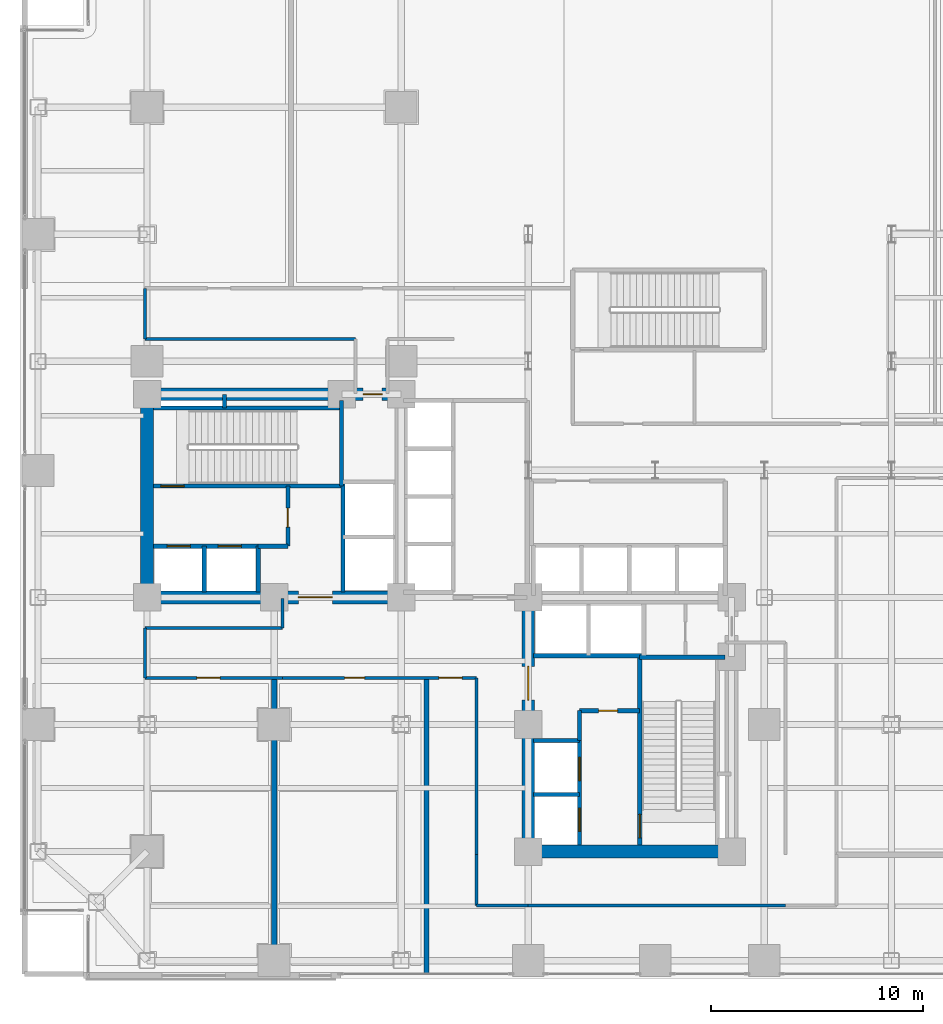
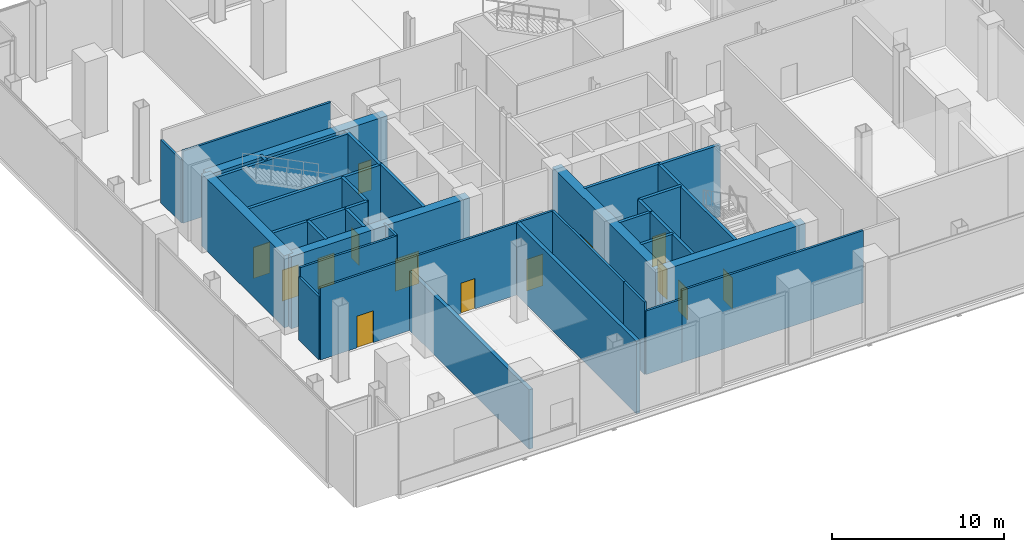
# One storey, part 21 of 27: 36 walls, 14 doors, 14 openings.
"""IFC4 building model written with IfcOpenShell, lengths in metres."""

from ifc_helpers import new_model, si_unit, direction, frame, frame_2d, origin, place, context, subcontext, project, spatial, rectangle, extrude, material, layer, layer_set, type_object, element, fill, save


model = new_model("IFC4")

# Units and contexts
model_context = context("Model", 3, precision=1e-05, world=origin(), true_north=direction((0.0, 1.0)))
body_context = subcontext(model_context, "Body", "Model", "MODEL_VIEW")
ifc_project = project(units=[si_unit("LENGTHUNIT", "METRE"), si_unit("AREAUNIT", "SQUARE_METRE"), si_unit("VOLUMEUNIT", "CUBIC_METRE"), si_unit("PLANEANGLEUNIT", "RADIAN"), si_unit("MASSUNIT", "GRAM", prefix="KILO"), si_unit("THERMODYNAMICTEMPERATUREUNIT", "KELVIN"), si_unit("POWERUNIT", "WATT")], contexts=[model_context])

# Site, building, storey
site_placement = place(None, origin())
site = spatial("IfcSite", under=ifc_project, at=site_placement, CompositionType="ELEMENT")
building_placement = place(site_placement, origin())
building = spatial("IfcBuilding", under=site, at=building_placement, Name="Svarakhadi Broadcast Tower", CompositionType="ELEMENT")
storey_placement = place(building_placement, frame((0.0, 0.0, 5.699951171875)))
storey = spatial("IfcBuildingStorey", under=building, at=storey_placement, Name="L01", CompositionType="ELEMENT", Elevation=5.699951171875)

# Walls
ifc_material_1 = material(Name="Double-Stud Acoustic Studio Partition STC-62", Category="gypsum")
ifc_layer_1 = layer(ifc_material_1, 0.25)
ifc_layer_set_1 = layer_set([ifc_layer_1], Name="Double-Stud Acoustic Studio Partition STC-62")
wall_type_1 = type_object("IfcWallType", Name="Wall_Acoust_250", PredefinedType="PARTITIONING", material=ifc_layer_set_1)
wall_1_placement = place(storey_placement, frame((12.0, 0.219970703125, 0.0), z_axis=(0.0, 0.0, 1.0), x_axis=(0.0, 1.0, 0.0)))
element("IfcWall", 1, at=wall_1_placement, inside=storey, type_object=wall_type_1, Name="L01 L01 Master Control Broadcast Room Wall", PredefinedType="PARTITIONING", context=body_context, shape_type="SweptSolid", body=[
    extrude(rectangle(XDim=13.97998046875, YDim=0.25, at=frame_2d((6.989990234375, 0.0))), origin(), (0.0, 0.0, 1.0), 4.217041015625),
])
wall_2_placement = place(storey_placement, frame((19.199951171875, 0.219970703125, 0.0), z_axis=(0.0, 0.0, 1.0), x_axis=(0.0, 1.0, 0.0)))
element("IfcWall", 2, at=wall_2_placement, inside=storey, type_object=wall_type_1, Name="L01 L01 Audio Post-Production Mixing Room Wall", PredefinedType="PARTITIONING", context=body_context, shape_type="SweptSolid", body=[
    extrude(rectangle(XDim=13.97998046875, YDim=0.25, at=frame_2d((6.989990234375, 0.0))), origin(), (0.0, 0.0, 1.0), 5.125),
])
ifc_material_2 = material(Name="Concrete C40/50 (IS 456 M50)", Category="concrete")
ifc_layer_2 = layer(ifc_material_2, 0.199951171875)
ifc_layer_set_2 = layer_set([ifc_layer_2], Name="Concrete C40/50 (IS 456 M50)")
wall_type_2 = type_object("IfcWallType", Name="Wall_Fire_200", PredefinedType="SOLIDWALL", material=ifc_layer_set_2)
wall_3_placement = place(storey_placement, frame((9.659912109375, 26.93994140625, 0.0), z_axis=(0.0, 0.0, 1.0), x_axis=(0.0, 1.0, 0.0)))
element("IfcWall", 3, at=wall_3_placement, inside=storey, type_object=wall_type_2, Name="L01 Wet Riser Shaft East Wall", PredefinedType="SOLIDWALL", context=body_context, shape_type="SweptSolid", body=[
    extrude(rectangle(XDim=0.64013671875, YDim=0.199951171875, at=frame_2d((0.320068359375, 0.0))), origin(), (0.0, 0.0, 1.0), 5.125),
])
ifc_material_3 = material(Name="Autoclaved Aerated Concrete Blockwork 150 mm", Category="masonry")
ifc_layer_3 = layer(ifc_material_3, 0.14990234375)
ifc_layer_set_3 = layer_set([ifc_layer_3], Name="Autoclaved Aerated Concrete Blockwork 150 mm")
wall_type_3 = type_object("IfcWallType", Name="Wall_Part_150", PredefinedType="PARTITIONING", material=ifc_layer_set_3)
wall_4_placement = place(storey_placement, frame((21.550048828125, 5.85009765625, 0.0), z_axis=(0.0, 0.0, 1.0), x_axis=(0.0, 1.0, 0.0)))
element("IfcWall", 4, at=wall_4_placement, inside=storey, type_object=wall_type_3, Name="L01 Podium Gallery Wall", PredefinedType="PARTITIONING", context=body_context, shape_type="SweptSolid", body=[
    extrude(rectangle(XDim=8.349853515625, YDim=0.14990234375, at=frame_2d((4.1748046875, 0.0))), origin(), (0.0, 0.0, 1.0), 5.125),
])

# Wall, openings, doors
wall_5_placement = place(storey_placement, frame((21.550048828125, 14.199951171875, 0.0), z_axis=(0.0, 0.0, 1.0), x_axis=(-1.0, 0.0, 0.0)))
wall_5 = element("IfcWall", 5, at=wall_5_placement, inside=storey, type_object=wall_type_3, Name="L01 Podium Gallery Wall", PredefinedType="PARTITIONING", context=body_context, shape_type="SweptSolid", body=[
    extrude(rectangle(XDim=9.150146484375, YDim=0.14990234375, at=frame_2d((4.5751953125, 0.0))), origin(), (0.0, 0.0, 1.0), 5.125),
])
opening_1_placement = place(wall_5_placement, frame((5.27490234375, 0.0, 0.0)))
opening_1 = element("IfcOpeningElement", 6, at=opening_1_placement, cuts=wall_5, Name="Opening D-06", PredefinedType="OPENING", context=body_context, shape_type="SweptSolid", body=[
    extrude(rectangle(XDim=0.949951171875, YDim=2.14990234375, at=frame_2d((0.47509765625, 1.074951171875))), frame((0.0, 0.0849609375, 0.0), z_axis=(0.0, -1.0, 0.0), x_axis=(1.0, 0.0, 0.0)), (0.0, 0.0, 1.0), 0.169921875),
])
opening_2_placement = place(wall_5_placement, frame((0.675048828125, 0.0, 0.0)))
opening_2 = element("IfcOpeningElement", 7, at=opening_2_placement, cuts=wall_5, Name="Opening D-11", PredefinedType="OPENING", context=body_context, shape_type="SweptSolid", body=[
    extrude(rectangle(XDim=1.10009765625, YDim=2.25, at=frame_2d((0.550048828125, 1.125))), frame((0.0, 0.0849609375, 0.0), z_axis=(0.0, -1.0, 0.0), x_axis=(1.0, 0.0, 0.0)), (0.0, 0.0, 1.0), 0.169921875),
])
ifc_material_4 = material(Name="Solid-Core Teak Veneer Acoustic Timber Leaf", Category="wood")
door_type_1 = type_object("IfcDoorType", Name="Door_Acoust_D11", OperationType="SINGLE_SWING_RIGHT", PredefinedType="DOOR", material=ifc_material_4)
door_1_placement = place(opening_2_placement, origin())
door_1 = element("IfcDoor", 8, at=door_1_placement, inside=storey, type_object=door_type_1, Name="L01 L01 Crew Green Room and Pantry Door", OperationType="SINGLE_SWING_RIGHT", OverallHeight=2.25, OverallWidth=1.10009765625, PredefinedType="DOOR", context=body_context, shape_type="SweptSolid", body=[
    extrude(rectangle(XDim=1.10009765625, YDim=2.25, at=frame_2d((0.550048828125, 1.125))), frame((0.0, 0.02490234375, 0.0), z_axis=(0.0, -1.0, 0.0), x_axis=(1.0, 0.0, 0.0)), (0.0, 0.0, 1.0), 0.050048828125),
])
fill(opening_2, door_1)
door_type_2 = type_object("IfcDoorType", Name="Door_Office_D06", OperationType="SINGLE_SWING_LEFT", PredefinedType="DOOR", material=ifc_material_4)
door_2_placement = place(opening_1_placement, origin())
door_2 = element("IfcDoor", 9, at=door_2_placement, inside=storey, type_object=door_type_2, Name="L01 L01 Audio Post-Production Mixing Room Door", OperationType="SINGLE_SWING_LEFT", OverallHeight=2.14990234375, OverallWidth=0.949951171875, PredefinedType="DOOR", context=body_context, shape_type="SweptSolid", body=[
    extrude(rectangle(XDim=0.949951171875, YDim=2.14990234375, at=frame_2d((0.47509765625, 1.074951171875))), frame((0.0, 0.02490234375, 0.0), z_axis=(0.0, -1.0, 0.0), x_axis=(1.0, 0.0, 0.0)), (0.0, 0.0, 1.0), 0.050048828125),
])
fill(opening_1, door_2)

# Wall, opening, door
wall_6_placement = place(storey_placement, frame((12.39990234375, 14.199951171875, 0.0), z_axis=(0.0, 0.0, 1.0), x_axis=(-1.0, 0.0, 0.0)))
wall_6 = element("IfcWall", 10, at=wall_6_placement, inside=storey, type_object=wall_type_3, Name="L01 Podium Gallery Wall", PredefinedType="PARTITIONING", context=body_context, shape_type="SweptSolid", body=[
    extrude(rectangle(XDim=6.5, YDim=0.14990234375, at=frame_2d((3.25, 0.0))), origin(), (0.0, 0.0, 1.0), 5.125),
])
opening_3_placement = place(wall_6_placement, frame((2.949951171875, 0.0, 0.0)))
opening_3 = element("IfcOpeningElement", 11, at=opening_3_placement, cuts=wall_6, Name="Opening D-10", PredefinedType="OPENING", context=body_context, shape_type="SweptSolid", body=[
    extrude(rectangle(XDim=1.10009765625, YDim=2.25, at=frame_2d((0.550048828125, 1.125))), frame((0.0, 0.0849609375, 0.0), z_axis=(0.0, -1.0, 0.0), x_axis=(1.0, 0.0, 0.0)), (0.0, 0.0, 1.0), 0.169921875),
])
door_type_3 = type_object("IfcDoorType", Name="Door_Acoust_D10", OperationType="SINGLE_SWING_LEFT", PredefinedType="DOOR", material=ifc_material_4)
door_3_placement = place(opening_3_placement, origin())
door_3 = element("IfcDoor", 12, at=door_3_placement, inside=storey, type_object=door_type_3, Name="L01 L01 Master Control Broadcast Room Door", OperationType="SINGLE_SWING_LEFT", OverallHeight=2.25, OverallWidth=1.10009765625, PredefinedType="DOOR", context=body_context, shape_type="SweptSolid", body=[
    extrude(rectangle(XDim=1.10009765625, YDim=2.25, at=frame_2d((0.550048828125, 1.125))), frame((0.0, 0.02490234375, 0.0), z_axis=(0.0, -1.0, 0.0), x_axis=(1.0, 0.0, 0.0)), (0.0, 0.0, 1.0), 0.050048828125),
])
fill(opening_3, door_3)

# Walls
wall_7_placement = place(storey_placement, frame((5.89990234375, 14.199951171875, 0.0), z_axis=(0.0, 0.0, 1.0), x_axis=(0.0, 1.0, 0.0)))
element("IfcWall", 13, at=wall_7_placement, inside=storey, type_object=wall_type_3, Name="L01 Podium Gallery Wall", PredefinedType="PARTITIONING", context=body_context, shape_type="SweptSolid", body=[
    extrude(rectangle(XDim=2.35009765625, YDim=0.14990234375, at=frame_2d((1.175048828125, 0.0))), origin(), (0.0, 0.0, 1.0), 4.467041015625),
])
wall_8_placement = place(storey_placement, frame((5.89990234375, 16.550048828125, 0.0), z_axis=(0.0, 0.0, 1.0), x_axis=(1.0, 0.0, 0.0)))
element("IfcWall", 14, at=wall_8_placement, inside=storey, type_object=wall_type_3, Name="L01 Podium Gallery Wall", PredefinedType="PARTITIONING", context=body_context, shape_type="SweptSolid", body=[
    extrude(rectangle(XDim=6.5, YDim=0.14990234375, at=frame_2d((3.25, 0.0))), origin(), (0.0, 0.0, 1.0), 5.125),
])
wall_9_placement = place(storey_placement, frame((12.39990234375, 16.550048828125, 0.0), z_axis=(0.0, 0.0, 1.0), x_axis=(0.0, 1.0, 0.0)))
element("IfcWall", 15, at=wall_9_placement, inside=storey, type_object=wall_type_3, Name="L01 Podium Gallery Wall", PredefinedType="PARTITIONING", context=body_context, shape_type="SweptSolid", body=[
    extrude(rectangle(XDim=1.409912109375, YDim=0.14990234375, at=frame_2d((0.705078125, 0.0))), origin(), (0.0, 0.0, 1.0), 5.125),
])
wall_10_placement = place(storey_placement, frame((15.85009765625, 30.199951171875, 0.0), z_axis=(0.0, 0.0, 1.0), x_axis=(-1.0, 0.0, 0.0)))
element("IfcWall", 16, at=wall_10_placement, inside=storey, type_object=wall_type_3, Name="L01 Podium Gallery Wall", PredefinedType="PARTITIONING", context=body_context, shape_type="SweptSolid", body=[
    extrude(rectangle(XDim=9.9501953125, YDim=0.14990234375, at=frame_2d((4.97509765625, 0.0))), origin(), (0.0, 0.0, 1.0), 5.125),
])
wall_11_placement = place(storey_placement, frame((5.89990234375, 30.199951171875, 0.0), z_axis=(0.0, 0.0, 1.0), x_axis=(0.0, 1.0, 0.0)))
element("IfcWall", 17, at=wall_11_placement, inside=storey, type_object=wall_type_3, Name="L01 Podium Gallery Wall", PredefinedType="PARTITIONING", context=body_context, shape_type="SweptSolid", body=[
    extrude(rectangle(XDim=2.400146484375, YDim=0.14990234375, at=frame_2d((1.2001953125, 0.0))), origin(), (0.0, 0.0, 1.0), 4.467041015625),
])
wall_12_placement = place(storey_placement, frame((36.14990234375, 3.449951171875, 0.0), z_axis=(0.0, 0.0, 1.0), x_axis=(-1.0, 0.0, 0.0)))
element("IfcWall", 18, at=wall_12_placement, inside=storey, type_object=wall_type_3, Name="L01 Podium Gallery Wall", PredefinedType="PARTITIONING", context=body_context, shape_type="SweptSolid", body=[
    extrude(rectangle(XDim=12.169921875, YDim=0.14990234375, at=frame_2d((6.0849609375, 0.0))), origin(), (0.0, 0.0, 1.0), 5.125),
])
wall_13_placement = place(storey_placement, frame((23.97998046875, 3.449951171875, 0.0), z_axis=(0.0, 0.0, 1.0), x_axis=(-1.0, 0.0, 0.0)))
element("IfcWall", 19, at=wall_13_placement, inside=storey, type_object=wall_type_3, Name="L01 Podium Gallery Wall", PredefinedType="PARTITIONING", context=body_context, shape_type="SweptSolid", body=[
    extrude(rectangle(XDim=2.429931640625, YDim=0.14990234375, at=frame_2d((1.21484375, 0.0))), origin(), (0.0, 0.0, 1.0), 4.51708984375),
])
wall_14_placement = place(storey_placement, frame((21.550048828125, 3.449951171875, 0.0), z_axis=(0.0, 0.0, 1.0), x_axis=(0.0, 1.0, 0.0)))
element("IfcWall", 20, at=wall_14_placement, inside=storey, type_object=wall_type_3, Name="L01 Podium Gallery Wall", PredefinedType="PARTITIONING", context=body_context, shape_type="SweptSolid", body=[
    extrude(rectangle(XDim=2.400146484375, YDim=0.14990234375, at=frame_2d((1.2001953125, 0.0))), origin(), (0.0, 0.0, 1.0), 5.125),
])

# Wall, opening, door
ifc_material_5 = material(Name="Concrete C50/60 (IS 456 M60)", Category="concrete")
ifc_layer_4 = layer(ifc_material_5, 0.199951171875)
ifc_layer_set_4 = layer_set([ifc_layer_4], Name="Concrete C50/60 (IS 456 M60)")
wall_type_4 = type_object("IfcWallType", Name="Wall_Shear_200", PredefinedType="SHEAR", material=ifc_layer_set_4)
wall_15_placement = place(storey_placement, frame((6.300048828125, 23.260009765625, 0.0), z_axis=(0.0, 0.0, 1.0), x_axis=(1.0, 0.0, 0.0)))
wall_15 = element("IfcWall", 21, at=wall_15_placement, inside=storey, type_object=wall_type_4, Name="L01 Stair ST-01 South RC Shaft Wall", PredefinedType="SHEAR", context=body_context, shape_type="SweptSolid", body=[
    extrude(rectangle(XDim=8.8798828125, YDim=0.199951171875, at=frame_2d((4.43994140625, 0.0))), origin(), (0.0, 0.0, 1.0), 5.125),
])
opening_4_placement = place(wall_15_placement, frame((0.35009765625, 0.0, 0.0)))
opening_4 = element("IfcOpeningElement", 22, at=opening_4_placement, cuts=wall_15, Name="Opening D-01", PredefinedType="OPENING", context=body_context, shape_type="SweptSolid", body=[
    extrude(rectangle(XDim=1.10009765625, YDim=2.199951171875, at=frame_2d((0.550048828125, 1.10009765625))), frame((0.0, 0.10986328125, 0.0), z_axis=(0.0, -1.0, 0.0), x_axis=(1.0, 0.0, 0.0)), (0.0, 0.0, 1.0), 0.219970703125),
])
ifc_material_6 = material(Name="Galvanised Powder-Coated Fire-Rated Steel Leaf", Category="steel")
door_type_4 = type_object("IfcDoorType", Name="Door_Stair_D01", OperationType="SINGLE_SWING_LEFT", PredefinedType="DOOR", material=ifc_material_6)
door_4_placement = place(opening_4_placement, origin())
door_4 = element("IfcDoor", 23, at=door_4_placement, inside=storey, type_object=door_type_4, Name="L01 Protected Exit Stair ST-01 Fire Door", OperationType="SINGLE_SWING_LEFT", OverallHeight=2.199951171875, OverallWidth=1.10009765625, PredefinedType="DOOR", context=body_context, shape_type="SweptSolid", body=[
    extrude(rectangle(XDim=1.10009765625, YDim=2.199951171875, at=frame_2d((0.550048828125, 1.10009765625))), frame((0.0, 0.02490234375, 0.0), z_axis=(0.0, -1.0, 0.0), x_axis=(1.0, 0.0, 0.0)), (0.0, 0.0, 1.0), 0.050048828125),
])
fill(opening_4, door_4)

# Walls
wall_16_placement = place(storey_placement, frame((6.300048828125, 26.93994140625, 0.0), z_axis=(0.0, 0.0, 1.0), x_axis=(1.0, 0.0, 0.0)))
element("IfcWall", 24, at=wall_16_placement, inside=storey, type_object=wall_type_4, Name="L01 Stair ST-01 North RC Shaft Wall", PredefinedType="SHEAR", context=body_context, shape_type="SweptSolid", body=[
    extrude(rectangle(XDim=8.8798828125, YDim=0.199951171875, at=frame_2d((4.43994140625, 0.0))), origin(), (0.0, 0.0, 1.0), 5.125),
])
wall_17_placement = place(storey_placement, frame((15.179931640625, 23.260009765625, 0.0), z_axis=(0.0, 0.0, 1.0), x_axis=(0.0, 1.0, 0.0)))
element("IfcWall", 25, at=wall_17_placement, inside=storey, type_object=wall_type_4, Name="L01 Stair ST-01 East RC Shaft Wall", PredefinedType="SHEAR", context=body_context, shape_type="SweptSolid", body=[
    extrude(rectangle(XDim=4.0400390625, YDim=0.199951171875, at=frame_2d((2.02001953125, 0.0))), origin(), (0.0, 0.0, 1.0), 5.125),
])

# Wall, opening, door
wall_18_placement = place(storey_placement, frame((29.260009765625, 6.300048828125, 0.0), z_axis=(0.0, 0.0, 1.0), x_axis=(0.0, 1.0, 0.0)))
wall_18 = element("IfcWall", 26, at=wall_18_placement, inside=storey, type_object=wall_type_4, Name="L01 Stair ST-02 West RC Shaft Wall", PredefinedType="SHEAR", context=body_context, shape_type="SweptSolid", body=[
    extrude(rectangle(XDim=8.8798828125, YDim=0.199951171875, at=frame_2d((4.43994140625, 0.0))), origin(), (0.0, 0.0, 1.0), 5.125),
])
opening_5_placement = place(wall_18_placement, frame((0.35009765625, 0.0, 0.0)))
opening_5 = element("IfcOpeningElement", 27, at=opening_5_placement, cuts=wall_18, Name="Opening D-02", PredefinedType="OPENING", context=body_context, shape_type="SweptSolid", body=[
    extrude(rectangle(XDim=1.10009765625, YDim=2.199951171875, at=frame_2d((0.550048828125, 1.10009765625))), frame((0.0, 0.10986328125, 0.0), z_axis=(0.0, -1.0, 0.0), x_axis=(1.0, 0.0, 0.0)), (0.0, 0.0, 1.0), 0.219970703125),
])
door_type_5 = type_object("IfcDoorType", Name="Door_Stair_D02", OperationType="SINGLE_SWING_RIGHT", PredefinedType="DOOR", material=ifc_material_6)
door_5_placement = place(opening_5_placement, origin())
door_5 = element("IfcDoor", 28, at=door_5_placement, inside=storey, type_object=door_type_5, Name="L01 Protected Exit Stair ST-02 Fire Door", OperationType="SINGLE_SWING_RIGHT", OverallHeight=2.199951171875, OverallWidth=1.10009765625, PredefinedType="DOOR", context=body_context, shape_type="SweptSolid", body=[
    extrude(rectangle(XDim=1.10009765625, YDim=2.199951171875, at=frame_2d((0.550048828125, 1.10009765625))), frame((0.0, 0.02490234375, 0.0), z_axis=(0.0, -1.0, 0.0), x_axis=(1.0, 0.0, 0.0)), (0.0, 0.0, 1.0), 0.050048828125),
])
fill(opening_5, door_5)

# Wall
wall_19_placement = place(storey_placement, frame((29.260009765625, 15.179931640625, 0.0), z_axis=(0.0, 0.0, 1.0), x_axis=(1.0, 0.0, 0.0)))
element("IfcWall", 29, at=wall_19_placement, inside=storey, type_object=wall_type_4, Name="L01 Stair ST-02 North RC Shaft Wall", PredefinedType="SHEAR", context=body_context, shape_type="SweptSolid", body=[
    extrude(rectangle(XDim=4.0400390625, YDim=0.199951171875, at=frame_2d((2.02001953125, 0.0))), origin(), (0.0, 0.0, 1.0), 5.125),
])

# Wall, openings, doors
wall_20_placement = place(storey_placement, frame((6.300048828125, 20.419921875, 0.0), z_axis=(0.0, 0.0, 1.0), x_axis=(1.0, 0.0, 0.0)))
wall_20 = element("IfcWall", 30, at=wall_20_placement, inside=storey, type_object=wall_type_4, Name="L01 Firefighting Lift LF-01/02 Shaft Wall", PredefinedType="SHEAR", context=body_context, shape_type="SweptSolid", body=[
    extrude(rectangle(XDim=4.949951171875, YDim=0.199951171875, at=frame_2d((2.47509765625, 0.0))), origin(), (0.0, 0.0, 1.0), 5.125),
])
opening_6_placement = place(wall_20_placement, frame((0.64990234375, 0.0, 0.0)))
opening_6 = element("IfcOpeningElement", 31, at=opening_6_placement, cuts=wall_20, Name="Opening LD-01", PredefinedType="OPENING", context=body_context, shape_type="SweptSolid", body=[
    extrude(rectangle(XDim=1.10009765625, YDim=2.199951171875, at=frame_2d((0.550048828125, 1.10009765625))), frame((0.0, 0.10986328125, 0.0), z_axis=(0.0, -1.0, 0.0), x_axis=(1.0, 0.0, 0.0)), (0.0, 0.0, 1.0), 0.219970703125),
])
opening_7_placement = place(wall_20_placement, frame((3.050048828125, 0.0, 0.0)))
opening_7 = element("IfcOpeningElement", 32, at=opening_7_placement, cuts=wall_20, Name="Opening LD-01", PredefinedType="OPENING", context=body_context, shape_type="SweptSolid", body=[
    extrude(rectangle(XDim=1.10009765625, YDim=2.199951171875, at=frame_2d((0.550048828125, 1.10009765625))), frame((0.0, 0.10986328125, 0.0), z_axis=(0.0, -1.0, 0.0), x_axis=(1.0, 0.0, 0.0)), (0.0, 0.0, 1.0), 0.219970703125),
])
door_type_6 = type_object("IfcDoorType", Name="Door_Lift_LD01", OperationType="SLIDING_TO_LEFT", PredefinedType="DOOR", material=ifc_material_6)
door_6_placement = place(opening_6_placement, origin())
door_6 = element("IfcDoor", 33, at=door_6_placement, inside=storey, type_object=door_type_6, Name="L01 Firefighting Lift LF-01 Landing Door", OperationType="SLIDING_TO_LEFT", OverallHeight=2.199951171875, OverallWidth=1.10009765625, PredefinedType="DOOR", context=body_context, shape_type="SweptSolid", body=[
    extrude(rectangle(XDim=1.10009765625, YDim=2.199951171875, at=frame_2d((0.550048828125, 1.10009765625))), frame((0.0, 0.02490234375, 0.0), z_axis=(0.0, -1.0, 0.0), x_axis=(1.0, 0.0, 0.0)), (0.0, 0.0, 1.0), 0.050048828125),
])
fill(opening_6, door_6)
door_7_placement = place(opening_7_placement, origin())
door_7 = element("IfcDoor", 34, at=door_7_placement, inside=storey, type_object=door_type_6, Name="L01 Firefighting Lift LF-02 Landing Door", OperationType="SLIDING_TO_LEFT", OverallHeight=2.199951171875, OverallWidth=1.10009765625, PredefinedType="DOOR", context=body_context, shape_type="SweptSolid", body=[
    extrude(rectangle(XDim=1.10009765625, YDim=2.199951171875, at=frame_2d((0.550048828125, 1.10009765625))), frame((0.0, 0.02490234375, 0.0), z_axis=(0.0, -1.0, 0.0), x_axis=(1.0, 0.0, 0.0)), (0.0, 0.0, 1.0), 0.050048828125),
])
fill(opening_7, door_7)

# Walls
for number, where, z_axis, x_axis, name in (
    (35, (8.699951171875, 18.25, 0.0), (0.0, 0.0, 1.0), (0.0, 1.0, 0.0), "L01 Firefighting Lift LF-01/02 Divider Wall"),
    (36, (11.25, 18.25, 0.0), (0.0, 0.0, 1.0), (0.0, 1.0, 0.0), "L01 Firefighting Lift LF-02 East Wall"),
):
    element("IfcWall", number, at=place(storey_placement, frame(where, z_axis=z_axis, x_axis=x_axis)), inside=storey, type_object=wall_type_4, Name=name, PredefinedType="SHEAR", context=body_context, shape_type="SweptSolid", body=[
        extrude(rectangle(XDim=2.169921875, YDim=0.199951171875, at=frame_2d((1.0849609375, 0.0))), origin(), (0.0, 0.0, 1.0), 5.125),
    ])
wall_21_placement = place(storey_placement, frame((11.25, 20.419921875, 0.0), z_axis=(0.0, 0.0, 1.0), x_axis=(1.0, 0.0, 0.0)))
element("IfcWall", 37, at=wall_21_placement, inside=storey, type_object=wall_type_4, Name="L01 West Firefighting Lobby South Wall", PredefinedType="SHEAR", context=body_context, shape_type="SweptSolid", body=[
    extrude(rectangle(XDim=1.39990234375, YDim=0.199951171875, at=frame_2d((0.699951171875, 0.0))), origin(), (0.0, 0.0, 1.0), 5.125),
])

# Wall, opening, door
wall_22_placement = place(storey_placement, frame((12.64990234375, 20.419921875, 0.0), z_axis=(0.0, 0.0, 1.0), x_axis=(0.0, 1.0, 0.0)))
wall_22 = element("IfcWall", 38, at=wall_22_placement, inside=storey, type_object=wall_type_4, Name="L01 West Firefighting Lobby East Wall", PredefinedType="SHEAR", context=body_context, shape_type="SweptSolid", body=[
    extrude(rectangle(XDim=2.840087890625, YDim=0.199951171875, at=frame_2d((1.419921875, 0.0))), origin(), (0.0, 0.0, 1.0), 5.125),
])
opening_8_placement = place(wall_22_placement, frame((0.89990234375, 0.0, 0.0)))
opening_8 = element("IfcOpeningElement", 39, at=opening_8_placement, cuts=wall_22, Name="Opening D-04", PredefinedType="OPENING", context=body_context, shape_type="SweptSolid", body=[
    extrude(rectangle(XDim=0.89990234375, YDim=2.14990234375, at=frame_2d((0.449951171875, 1.074951171875))), frame((0.0, 0.10986328125, 0.0), z_axis=(0.0, -1.0, 0.0), x_axis=(1.0, 0.0, 0.0)), (0.0, 0.0, 1.0), 0.219970703125),
])
door_type_7 = type_object("IfcDoorType", Name="Door_Fire_D04", OperationType="SINGLE_SWING_RIGHT", PredefinedType="DOOR", material=ifc_material_6)
door_8_placement = place(opening_8_placement, origin())
door_8 = element("IfcDoor", 40, at=door_8_placement, inside=storey, type_object=door_type_7, Name="L01 West Firefighting Lobby Fire Door", OperationType="SINGLE_SWING_RIGHT", OverallHeight=2.14990234375, OverallWidth=0.89990234375, PredefinedType="DOOR", context=body_context, shape_type="SweptSolid", body=[
    extrude(rectangle(XDim=0.89990234375, YDim=2.14990234375, at=frame_2d((0.449951171875, 1.074951171875))), frame((0.0, 0.02490234375, 0.0), z_axis=(0.0, -1.0, 0.0), x_axis=(1.0, 0.0, 0.0)), (0.0, 0.0, 1.0), 0.050048828125),
])
fill(opening_8, door_8)

# Wall, openings, doors
wall_23_placement = place(storey_placement, frame((26.419921875, 6.300048828125, 0.0), z_axis=(0.0, 0.0, 1.0), x_axis=(0.0, 1.0, 0.0)))
wall_23 = element("IfcWall", 41, at=wall_23_placement, inside=storey, type_object=wall_type_4, Name="L01 Firefighting Lift LF-03/04 Shaft Wall", PredefinedType="SHEAR", context=body_context, shape_type="SweptSolid", body=[
    extrude(rectangle(XDim=4.949951171875, YDim=0.199951171875, at=frame_2d((2.47509765625, 0.0))), origin(), (0.0, 0.0, 1.0), 5.125),
])
opening_9_placement = place(wall_23_placement, frame((0.64990234375, 0.0, 0.0)))
opening_9 = element("IfcOpeningElement", 42, at=opening_9_placement, cuts=wall_23, Name="Opening LD-01", PredefinedType="OPENING", context=body_context, shape_type="SweptSolid", body=[
    extrude(rectangle(XDim=1.10009765625, YDim=2.199951171875, at=frame_2d((0.550048828125, 1.10009765625))), frame((0.0, 0.10986328125, 0.0), z_axis=(0.0, -1.0, 0.0), x_axis=(1.0, 0.0, 0.0)), (0.0, 0.0, 1.0), 0.219970703125),
])
opening_10_placement = place(wall_23_placement, frame((3.050048828125, 0.0, 0.0)))
opening_10 = element("IfcOpeningElement", 43, at=opening_10_placement, cuts=wall_23, Name="Opening LD-01", PredefinedType="OPENING", context=body_context, shape_type="SweptSolid", body=[
    extrude(rectangle(XDim=1.10009765625, YDim=2.199951171875, at=frame_2d((0.550048828125, 1.10009765625))), frame((0.0, 0.10986328125, 0.0), z_axis=(0.0, -1.0, 0.0), x_axis=(1.0, 0.0, 0.0)), (0.0, 0.0, 1.0), 0.219970703125),
])
door_9_placement = place(opening_9_placement, origin())
door_9 = element("IfcDoor", 44, at=door_9_placement, inside=storey, type_object=door_type_6, Name="L01 Firefighting Lift LF-03 Landing Door", OperationType="SLIDING_TO_LEFT", OverallHeight=2.199951171875, OverallWidth=1.10009765625, PredefinedType="DOOR", context=body_context, shape_type="SweptSolid", body=[
    extrude(rectangle(XDim=1.10009765625, YDim=2.199951171875, at=frame_2d((0.550048828125, 1.10009765625))), frame((0.0, 0.02490234375, 0.0), z_axis=(0.0, -1.0, 0.0), x_axis=(1.0, 0.0, 0.0)), (0.0, 0.0, 1.0), 0.050048828125),
])
fill(opening_9, door_9)
door_10_placement = place(opening_10_placement, origin())
door_10 = element("IfcDoor", 45, at=door_10_placement, inside=storey, type_object=door_type_6, Name="L01 Firefighting Lift LF-04 Landing Door", OperationType="SLIDING_TO_LEFT", OverallHeight=2.199951171875, OverallWidth=1.10009765625, PredefinedType="DOOR", context=body_context, shape_type="SweptSolid", body=[
    extrude(rectangle(XDim=1.10009765625, YDim=2.199951171875, at=frame_2d((0.550048828125, 1.10009765625))), frame((0.0, 0.02490234375, 0.0), z_axis=(0.0, -1.0, 0.0), x_axis=(1.0, 0.0, 0.0)), (0.0, 0.0, 1.0), 0.050048828125),
])
fill(opening_10, door_10)

# Walls
for number, where, z_axis, x_axis, name in (
    (46, (24.25, 8.699951171875, 0.0), (0.0, 0.0, 1.0), (1.0, 0.0, 0.0), "L01 Firefighting Lift LF-03/04 Divider Wall"),
    (47, (24.25, 11.25, 0.0), (0.0, 0.0, 1.0), (1.0, 0.0, 0.0), "L01 Firefighting Lift LF-04 North Wall"),
):
    element("IfcWall", number, at=place(storey_placement, frame(where, z_axis=z_axis, x_axis=x_axis)), inside=storey, type_object=wall_type_4, Name=name, PredefinedType="SHEAR", context=body_context, shape_type="SweptSolid", body=[
        extrude(rectangle(XDim=2.169921875, YDim=0.199951171875, at=frame_2d((1.0849609375, 0.0))), origin(), (0.0, 0.0, 1.0), 5.125),
    ])
wall_24_placement = place(storey_placement, frame((26.419921875, 11.25, 0.0), z_axis=(0.0, 0.0, 1.0), x_axis=(0.0, 1.0, 0.0)))
element("IfcWall", 48, at=wall_24_placement, inside=storey, type_object=wall_type_4, Name="L01 East Firefighting Lobby West Wall", PredefinedType="SHEAR", context=body_context, shape_type="SweptSolid", body=[
    extrude(rectangle(XDim=1.39990234375, YDim=0.199951171875, at=frame_2d((0.699951171875, 0.0))), origin(), (0.0, 0.0, 1.0), 5.125),
])

# Wall, opening, door
wall_25_placement = place(storey_placement, frame((26.419921875, 12.64990234375, 0.0), z_axis=(0.0, 0.0, 1.0), x_axis=(1.0, 0.0, 0.0)))
wall_25 = element("IfcWall", 49, at=wall_25_placement, inside=storey, type_object=wall_type_4, Name="L01 East Firefighting Lobby North Wall", PredefinedType="SHEAR", context=body_context, shape_type="SweptSolid", body=[
    extrude(rectangle(XDim=2.840087890625, YDim=0.199951171875, at=frame_2d((1.419921875, 0.0))), origin(), (0.0, 0.0, 1.0), 5.125),
])
opening_11_placement = place(wall_25_placement, frame((0.89990234375, 0.0, 0.0)))
opening_11 = element("IfcOpeningElement", 50, at=opening_11_placement, cuts=wall_25, Name="Opening D-03", PredefinedType="OPENING", context=body_context, shape_type="SweptSolid", body=[
    extrude(rectangle(XDim=0.89990234375, YDim=2.14990234375, at=frame_2d((0.449951171875, 1.074951171875))), frame((0.0, 0.10986328125, 0.0), z_axis=(0.0, -1.0, 0.0), x_axis=(1.0, 0.0, 0.0)), (0.0, 0.0, 1.0), 0.219970703125),
])
door_type_8 = type_object("IfcDoorType", Name="Door_Fire_D03", OperationType="SINGLE_SWING_LEFT", PredefinedType="DOOR", material=ifc_material_6)
door_11_placement = place(opening_11_placement, origin())
door_11 = element("IfcDoor", 51, at=door_11_placement, inside=storey, type_object=door_type_8, Name="L01 East Firefighting Lobby Fire Door", OperationType="SINGLE_SWING_LEFT", OverallHeight=2.14990234375, OverallWidth=0.89990234375, PredefinedType="DOOR", context=body_context, shape_type="SweptSolid", body=[
    extrude(rectangle(XDim=0.89990234375, YDim=2.14990234375, at=frame_2d((0.449951171875, 1.074951171875))), frame((0.0, 0.02490234375, 0.0), z_axis=(0.0, -1.0, 0.0), x_axis=(1.0, 0.0, 0.0)), (0.0, 0.0, 1.0), 0.050048828125),
])
fill(opening_11, door_11)

# Walls
for number, where, z_axis, x_axis, name in (
    (52, (15.25, 18.25, 0.0), (0.0, 0.0, 1.0), (0.0, 1.0, 0.0), "L01 High-Rise Lift LF-13/14 West Shaft Wall"),
    (53, (24.25, 15.25, 0.0), (0.0, 0.0, 1.0), (1.0, 0.0, 0.0), "L01 High-Rise Lift LF-15/16 South Shaft Wall"),
):
    element("IfcWall", number, at=place(storey_placement, frame(where, z_axis=z_axis, x_axis=x_axis)), inside=storey, type_object=wall_type_4, Name=name, PredefinedType="SHEAR", context=body_context, shape_type="SweptSolid", body=[
        extrude(rectangle(XDim=5.199951171875, YDim=0.199951171875, at=frame_2d((2.60009765625, 0.0))), origin(), (0.0, 0.0, 1.0), 5.125),
    ])

# Wall, opening, door
ifc_material_7 = material(Name="Concrete C60/75 (IS 456 M70)", Category="concrete")
ifc_layer_5 = layer(ifc_material_7, 0.60009765625)
ifc_layer_set_5 = layer_set([ifc_layer_5], Name="Concrete C60/75 (IS 456 M70)")
wall_type_5 = type_object("IfcWallType", Name="Wall_Shear_600", PredefinedType="SHEAR", material=ifc_layer_set_5)
wall_26_placement = place(storey_placement, frame((6.0, 18.0, 0.0), z_axis=(0.0, 0.0, 1.0), x_axis=(1.0, 0.0, 0.0)))
wall_26 = element("IfcWall", 54, at=wall_26_placement, inside=storey, type_object=wall_type_5, Name="L01 West Core South Shear Wall", PredefinedType="SHEAR", context=body_context, shape_type="SweptSolid", body=[
    extrude(rectangle(XDim=12.0, YDim=0.60009765625, at=frame_2d((6.0, 0.0))), origin(), (0.0, 0.0, 1.0), 5.125),
])
opening_12_placement = place(wall_26_placement, frame((7.14990234375, 0.0, 0.0)))
opening_12 = element("IfcOpeningElement", 55, at=opening_12_placement, cuts=wall_26, Name="Opening D-05", PredefinedType="OPENING", context=body_context, shape_type="SweptSolid", body=[
    extrude(rectangle(XDim=1.60009765625, YDim=2.300048828125, at=frame_2d((0.800048828125, 1.14990234375))), frame((0.0, 0.31005859375, 0.0), z_axis=(0.0, -1.0, 0.0), x_axis=(1.0, 0.0, 0.0)), (0.0, 0.0, 1.0), 0.6201171875),
])
ifc_material_8 = material(Name="Anodised Bronze Aluminium AA 6063-T6", Category="aluminium")
door_type_9 = type_object("IfcDoorType", Name="Door_Lobby_D05", OperationType="DOUBLE_DOOR_SLIDING", PredefinedType="DOOR", material=ifc_material_8)
door_12_placement = place(opening_12_placement, origin())
door_12 = element("IfcDoor", 56, at=door_12_placement, inside=storey, type_object=door_type_9, Name="L01 West Core Passenger Lift Lobby Entrance Door", OperationType="DOUBLE_DOOR_SLIDING", OverallHeight=2.300048828125, OverallWidth=1.60009765625, PredefinedType="DOOR", context=body_context, shape_type="SweptSolid", body=[
    extrude(rectangle(XDim=1.60009765625, YDim=2.300048828125, at=frame_2d((0.800048828125, 1.14990234375))), frame((0.0, 0.02490234375, 0.0), z_axis=(0.0, -1.0, 0.0), x_axis=(1.0, 0.0, 0.0)), (0.0, 0.0, 1.0), 0.050048828125),
])
fill(opening_12, door_12)

wall_27_placement = place(storey_placement, frame((6.0, 27.60009765625, 0.0), z_axis=(0.0, 0.0, 1.0), x_axis=(1.0, 0.0, 0.0)))
wall_27 = element("IfcWall", 57, at=wall_27_placement, inside=storey, type_object=wall_type_5, Name="L01 West Core North Shear Wall", PredefinedType="SHEAR", context=body_context, shape_type="SweptSolid", body=[
    extrude(rectangle(XDim=12.0, YDim=0.60009765625, at=frame_2d((6.0, 0.0))), origin(), (0.0, 0.0, 1.0), 5.125),
])
opening_13_placement = place(wall_27_placement, frame((10.199951171875, 0.0, 0.0)))
opening_13 = element("IfcOpeningElement", 58, at=opening_13_placement, cuts=wall_27, Name="Opening D-03", PredefinedType="OPENING", context=body_context, shape_type="SweptSolid", body=[
    extrude(rectangle(XDim=0.89990234375, YDim=2.14990234375, at=frame_2d((0.449951171875, 1.074951171875))), frame((0.0, 0.31005859375, 0.0), z_axis=(0.0, -1.0, 0.0), x_axis=(1.0, 0.0, 0.0)), (0.0, 0.0, 1.0), 0.6201171875),
])
door_13_placement = place(opening_13_placement, origin())
door_13 = element("IfcDoor", 59, at=door_13_placement, inside=storey, type_object=door_type_8, Name="L01 Core Meter Cupboard Door", OperationType="SINGLE_SWING_LEFT", OverallHeight=2.14990234375, OverallWidth=0.89990234375, PredefinedType="DOOR", context=body_context, shape_type="SweptSolid", body=[
    extrude(rectangle(XDim=0.89990234375, YDim=2.14990234375, at=frame_2d((0.449951171875, 1.074951171875))), frame((0.0, 0.02490234375, 0.0), z_axis=(0.0, -1.0, 0.0), x_axis=(1.0, 0.0, 0.0)), (0.0, 0.0, 1.0), 0.050048828125),
])
fill(opening_13, door_13)

# Walls
for number, where, z_axis, x_axis, name in (
    (60, (6.0, 18.0, 0.0), (0.0, 0.0, 1.0), (0.0, 1.0, 0.0), "L01 West Core West Shear Wall"),
    (61, (24.0, 6.0, 0.0), (0.0, 0.0, 1.0), (1.0, 0.0, 0.0), "L01 East Core South Shear Wall"),
):
    element("IfcWall", number, at=place(storey_placement, frame(where, z_axis=z_axis, x_axis=x_axis)), inside=storey, type_object=wall_type_5, Name=name, PredefinedType="SHEAR", context=body_context, shape_type="SweptSolid", body=[
        extrude(rectangle(XDim=9.60009765625, YDim=0.60009765625, at=frame_2d((4.800048828125, 0.0))), origin(), (0.0, 0.0, 1.0), 5.125),
    ])

# Wall, opening, door
wall_28_placement = place(storey_placement, frame((24.0, 6.0, 0.0), z_axis=(0.0, 0.0, 1.0), x_axis=(0.0, 1.0, 0.0)))
wall_28 = element("IfcWall", 62, at=wall_28_placement, inside=storey, type_object=wall_type_5, Name="L01 East Core West Shear Wall", PredefinedType="SHEAR", context=body_context, shape_type="SweptSolid", body=[
    extrude(rectangle(XDim=12.0, YDim=0.60009765625, at=frame_2d((6.0, 0.0))), origin(), (0.0, 0.0, 1.0), 5.125),
])
opening_14_placement = place(wall_28_placement, frame((7.14990234375, 0.0, 0.0)))
opening_14 = element("IfcOpeningElement", 63, at=opening_14_placement, cuts=wall_28, Name="Opening D-05", PredefinedType="OPENING", context=body_context, shape_type="SweptSolid", body=[
    extrude(rectangle(XDim=1.60009765625, YDim=2.300048828125, at=frame_2d((0.800048828125, 1.14990234375))), frame((0.0, 0.31005859375, 0.0), z_axis=(0.0, -1.0, 0.0), x_axis=(1.0, 0.0, 0.0)), (0.0, 0.0, 1.0), 0.6201171875),
])
door_14_placement = place(opening_14_placement, origin())
door_14 = element("IfcDoor", 64, at=door_14_placement, inside=storey, type_object=door_type_9, Name="L01 East Core Passenger Lift Lobby Entrance Door", OperationType="DOUBLE_DOOR_SLIDING", OverallHeight=2.300048828125, OverallWidth=1.60009765625, PredefinedType="DOOR", context=body_context, shape_type="SweptSolid", body=[
    extrude(rectangle(XDim=1.60009765625, YDim=2.300048828125, at=frame_2d((0.800048828125, 1.14990234375))), frame((0.0, 0.02490234375, 0.0), z_axis=(0.0, -1.0, 0.0), x_axis=(1.0, 0.0, 0.0)), (0.0, 0.0, 1.0), 0.050048828125),
])
fill(opening_14, door_14)

save(model, "model.ifc")
